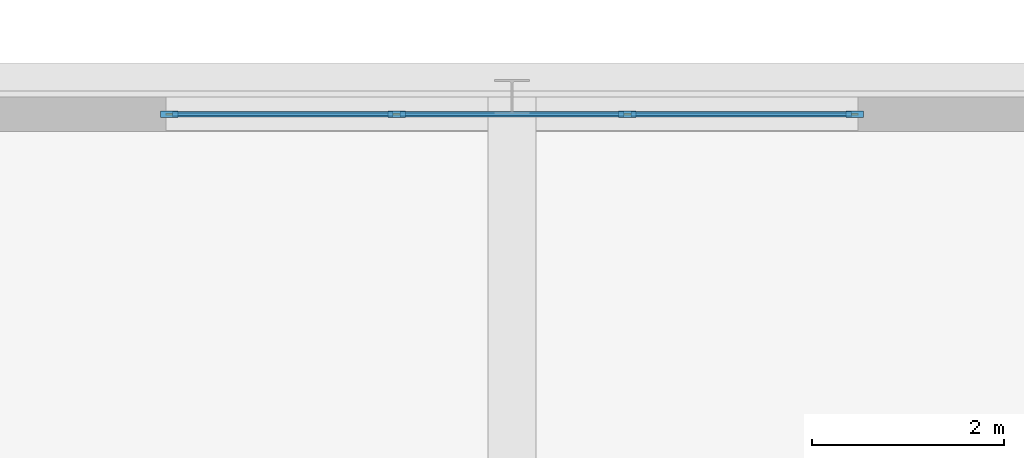
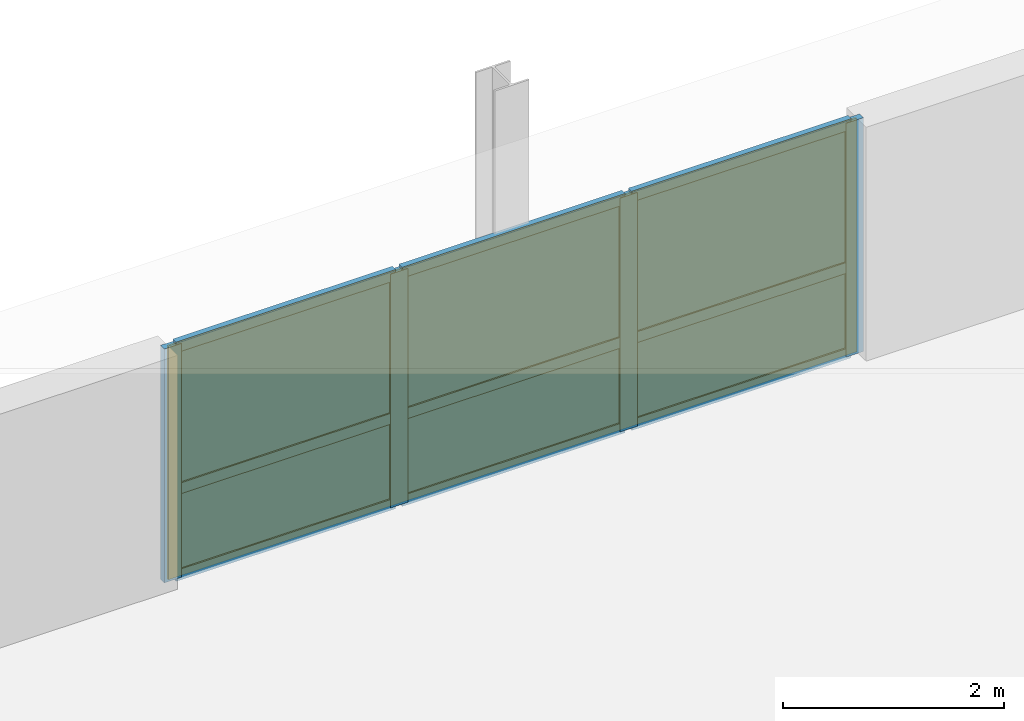
# One storey, part 11 of 17: 13 members, 6 plates, 1 curtain wall.
"""IFC4 building model written with IfcOpenShell, lengths in metres."""

from ifc_helpers import new_model, si_unit, direction, frame, frame_2d, origin, origin_2d, place, context, subcontext, project, spatial, rectangle, extrude, source, transform, mapped, material, layer, layer_set, material_profile, profile_set, type_object, type_shapes, element, aggregate, save


model = new_model("IFC4")

# Units and contexts
model_context = context("Model", 3, precision=1e-05, world=origin(), true_north=direction((0.0, 1.0)))
body_context = subcontext(model_context, "Body", "Model", "MODEL_VIEW")
ifc_project = project(units=[si_unit("LENGTHUNIT", "METRE"), si_unit("AREAUNIT", "SQUARE_METRE"), si_unit("VOLUMEUNIT", "CUBIC_METRE"), si_unit("PLANEANGLEUNIT", "RADIAN"), si_unit("MASSUNIT", "GRAM", prefix="KILO")], contexts=[model_context])

# Member
ifc_material_1 = material(Name="Anodised aluminium 6063-T6", Category="aluminium")
ifc_material_profile_1 = material_profile(ifc_material_1, rectangle(XDim=0.070068359375, YDim=0.179931640625, at=origin_2d()), Name="ALU-MULL-70x180")
ifc_profile_set_1 = profile_set([ifc_material_profile_1], Name="Anodised aluminium 6063-T6")
member_type_1 = type_object("IfcMemberType", Name="CWM-2", PredefinedType="MULLION", material=ifc_profile_set_1)
site_placement = place(None, origin())
building_placement = place(site_placement, origin())
storey_placement = place(building_placement, frame((0.0, 0.0, 18.39990234375)))
member_1_placement = place(storey_placement, frame((-3.56494140625, 25.820068359375, 0.0), z_axis=(0.0, 0.0, 1.0), x_axis=(0.0, 1.0, 0.0)))
member_1 = element("IfcMember", 1, at=member_1_placement, type_object=member_type_1, Name="CWS-2 mullion 1", PredefinedType="MULLION", context=body_context, shape_type="SweptSolid", body=[
    extrude(rectangle(XDim=0.070068359375, YDim=0.179931640625, at=origin_2d()), origin(), (0.0, 0.0, 1.0), 2.585205078125),
])

member_2_placement = place(storey_placement, frame((-1.199951171875, 25.820068359375, 0.0), z_axis=(0.0, 0.0, 1.0), x_axis=(0.0, 1.0, 0.0)))
member_2 = element("IfcMember", 2, at=member_2_placement, type_object=member_type_1, Name="CWS-2 mullion 2", PredefinedType="MULLION", context=body_context, shape_type="SweptSolid", body=[
    extrude(rectangle(XDim=0.070068359375, YDim=0.179931640625, at=origin_2d()), origin(), (0.0, 0.0, 1.0), 2.585205078125),
])

member_3_placement = place(storey_placement, frame((1.199951171875, 25.820068359375, 0.0), z_axis=(0.0, 0.0, 1.0), x_axis=(0.0, 1.0, 0.0)))
member_3 = element("IfcMember", 3, at=member_3_placement, type_object=member_type_1, Name="CWS-2 mullion 3", PredefinedType="MULLION", context=body_context, shape_type="SweptSolid", body=[
    extrude(rectangle(XDim=0.070068359375, YDim=0.179931640625, at=origin_2d()), origin(), (0.0, 0.0, 1.0), 2.585205078125),
])

member_4_placement = place(storey_placement, frame((3.56494140625, 25.820068359375, 0.0), z_axis=(0.0, 0.0, 1.0), x_axis=(0.0, 1.0, 0.0)))
member_4 = element("IfcMember", 4, at=member_4_placement, type_object=member_type_1, Name="CWS-2 mullion 4", PredefinedType="MULLION", context=body_context, shape_type="SweptSolid", body=[
    extrude(rectangle(XDim=0.070068359375, YDim=0.179931640625, at=origin_2d()), origin(), (0.0, 0.0, 1.0), 2.585205078125),
])

ifc_material_profile_2 = material_profile(ifc_material_1, rectangle(XDim=0.06005859375, YDim=0.1201171875, at=origin_2d()), Name="ALU-TRAN-60x120")
ifc_profile_set_2 = profile_set([ifc_material_profile_2], Name="Anodised aluminium 6063-T6")
member_type_2 = type_object("IfcMemberType", Name="CWT-2", PredefinedType="USERDEFINED", material=ifc_profile_set_2)
member_5_placement = place(storey_placement, frame((-3.530029296875, 25.820068359375, 0.030029296875), z_axis=(1.0, 0.0, 0.0), x_axis=(0.0, 1.0, 0.0)))
member_5 = element("IfcMember", 5, at=member_5_placement, type_object=member_type_2, Name="CWS-2 transom 1.1", ObjectType="TRANSOM", PredefinedType="USERDEFINED", context=body_context, shape_type="SweptSolid", body=[
    extrude(rectangle(XDim=0.06005859375, YDim=0.1201171875, at=origin_2d()), origin(), (0.0, 0.0, 1.0), 2.294921875),
])

member_6_placement = place(storey_placement, frame((-3.530029296875, 25.820068359375, 0.982421875), z_axis=(1.0, 0.0, 0.0), x_axis=(0.0, 1.0, 0.0)))
member_6 = element("IfcMember", 6, at=member_6_placement, type_object=member_type_2, Name="CWS-2 transom 1.2", ObjectType="TRANSOM", PredefinedType="USERDEFINED", context=body_context, shape_type="SweptSolid", body=[
    extrude(rectangle(XDim=0.06005859375, YDim=0.1201171875, at=origin_2d()), origin(), (0.0, 0.0, 1.0), 2.294921875),
])

member_7_placement = place(storey_placement, frame((-3.530029296875, 25.820068359375, 2.55517578125), z_axis=(1.0, 0.0, 0.0), x_axis=(0.0, 1.0, 0.0)))
member_7 = element("IfcMember", 7, at=member_7_placement, type_object=member_type_2, Name="CWS-2 transom 1.3", ObjectType="TRANSOM", PredefinedType="USERDEFINED", context=body_context, shape_type="SweptSolid", body=[
    extrude(rectangle(XDim=0.06005859375, YDim=0.1201171875, at=origin_2d()), origin(), (0.0, 0.0, 1.0), 2.294921875),
])

member_8_placement = place(storey_placement, frame((-1.1650390625, 25.820068359375, 0.030029296875), z_axis=(1.0, 0.0, 0.0), x_axis=(0.0, 1.0, 0.0)))
member_8 = element("IfcMember", 8, at=member_8_placement, type_object=member_type_2, Name="CWS-2 transom 2.1", ObjectType="TRANSOM", PredefinedType="USERDEFINED", context=body_context, shape_type="SweptSolid", body=[
    extrude(rectangle(XDim=0.06005859375, YDim=0.1201171875, at=origin_2d()), origin(), (0.0, 0.0, 1.0), 2.330078125),
])

member_9_placement = place(storey_placement, frame((-1.1650390625, 25.820068359375, 0.982421875), z_axis=(1.0, 0.0, 0.0), x_axis=(0.0, 1.0, 0.0)))
member_9 = element("IfcMember", 9, at=member_9_placement, type_object=member_type_2, Name="CWS-2 transom 2.2", ObjectType="TRANSOM", PredefinedType="USERDEFINED", context=body_context, shape_type="SweptSolid", body=[
    extrude(rectangle(XDim=0.06005859375, YDim=0.1201171875, at=origin_2d()), origin(), (0.0, 0.0, 1.0), 2.330078125),
])

member_10_placement = place(storey_placement, frame((-1.1650390625, 25.820068359375, 2.55517578125), z_axis=(1.0, 0.0, 0.0), x_axis=(0.0, 1.0, 0.0)))
member_10 = element("IfcMember", 10, at=member_10_placement, type_object=member_type_2, Name="CWS-2 transom 2.3", ObjectType="TRANSOM", PredefinedType="USERDEFINED", context=body_context, shape_type="SweptSolid", body=[
    extrude(rectangle(XDim=0.06005859375, YDim=0.1201171875, at=origin_2d()), origin(), (0.0, 0.0, 1.0), 2.330078125),
])

member_11_placement = place(storey_placement, frame((1.235107421875, 25.820068359375, 0.030029296875), z_axis=(1.0, 0.0, 0.0), x_axis=(0.0, 1.0, 0.0)))
member_11 = element("IfcMember", 11, at=member_11_placement, type_object=member_type_2, Name="CWS-2 transom 3.1", ObjectType="TRANSOM", PredefinedType="USERDEFINED", context=body_context, shape_type="SweptSolid", body=[
    extrude(rectangle(XDim=0.06005859375, YDim=0.1201171875, at=origin_2d()), origin(), (0.0, 0.0, 1.0), 2.294921875),
])

member_12_placement = place(storey_placement, frame((1.235107421875, 25.820068359375, 0.982421875), z_axis=(1.0, 0.0, 0.0), x_axis=(0.0, 1.0, 0.0)))
member_12 = element("IfcMember", 12, at=member_12_placement, type_object=member_type_2, Name="CWS-2 transom 3.2", ObjectType="TRANSOM", PredefinedType="USERDEFINED", context=body_context, shape_type="SweptSolid", body=[
    extrude(rectangle(XDim=0.06005859375, YDim=0.1201171875, at=origin_2d()), origin(), (0.0, 0.0, 1.0), 2.294921875),
])

member_13_placement = place(storey_placement, frame((1.235107421875, 25.820068359375, 2.55517578125), z_axis=(1.0, 0.0, 0.0), x_axis=(0.0, 1.0, 0.0)))
member_13 = element("IfcMember", 13, at=member_13_placement, type_object=member_type_2, Name="CWS-2 transom 3.3", ObjectType="TRANSOM", PredefinedType="USERDEFINED", context=body_context, shape_type="SweptSolid", body=[
    extrude(rectangle(XDim=0.06005859375, YDim=0.1201171875, at=origin_2d()), origin(), (0.0, 0.0, 1.0), 2.294921875),
])

# Plate
ifc_material_2 = material(Name="Insulated solar-control glass", Category="glass")
ifc_layer_1 = layer(ifc_material_2, 0.030029296875, Name="CWP-2")
ifc_layer_set_1 = layer_set([ifc_layer_1], Name="Insulated solar-control glass")
plate_type = type_object("IfcPlateType", Name="CWP-2", PredefinedType="CURTAIN_PANEL", material=ifc_layer_set_1)
shared_shape_1 = source(origin(), body_context, "Body", "SweptSolid", [
    extrude(rectangle(XDim=2.294921875, YDim=0.030029296875, at=origin_2d()), origin(), (0.0, 0.0, 1.0), 0.892333984375),
])
plate_1_placement = place(storey_placement, frame((-2.382568359375, 25.820068359375, 0.06005859375), z_axis=(0.0, 0.0, 1.0), x_axis=(1.0, 0.0, 0.0)))
plate_1 = element("IfcPlate", 14, at=plate_1_placement, type_object=plate_type, Name="CWS-2 panel 1.1", PredefinedType="CURTAIN_PANEL", context=body_context, shape_type="MappedRepresentation", body=[
    mapped(shared_shape_1, transform((0.0, 0.0, 0.0), scale=1.0)),
])

plate_2_placement = place(storey_placement, frame((2.382568359375, 25.820068359375, 0.06005859375), z_axis=(0.0, 0.0, 1.0), x_axis=(1.0, 0.0, 0.0)))
plate_2 = element("IfcPlate", 15, at=plate_2_placement, type_object=plate_type, Name="CWS-2 panel 3.1", PredefinedType="CURTAIN_PANEL", context=body_context, shape_type="MappedRepresentation", body=[
    mapped(shared_shape_1, transform((0.0, 0.0, 0.0), scale=1.0)),
])

shared_shape_2 = source(origin(), body_context, "Body", "SweptSolid", [
    extrude(rectangle(XDim=2.294921875, YDim=0.030029296875, at=origin_2d()), origin(), (0.0, 0.0, 1.0), 1.5126953125),
])
plate_3_placement = place(storey_placement, frame((-2.382568359375, 25.820068359375, 1.012451171875), z_axis=(0.0, 0.0, 1.0), x_axis=(1.0, 0.0, 0.0)))
plate_3 = element("IfcPlate", 16, at=plate_3_placement, type_object=plate_type, Name="CWS-2 panel 1.2", PredefinedType="CURTAIN_PANEL", context=body_context, shape_type="MappedRepresentation", body=[
    mapped(shared_shape_2, transform((0.0, 0.0, 0.0), scale=1.0)),
])

plate_4_placement = place(storey_placement, frame((2.382568359375, 25.820068359375, 1.012451171875), z_axis=(0.0, 0.0, 1.0), x_axis=(1.0, 0.0, 0.0)))
plate_4 = element("IfcPlate", 17, at=plate_4_placement, type_object=plate_type, Name="CWS-2 panel 3.2", PredefinedType="CURTAIN_PANEL", context=body_context, shape_type="MappedRepresentation", body=[
    mapped(shared_shape_2, transform((0.0, 0.0, 0.0), scale=1.0)),
])

shared_shape_3 = source(origin(), body_context, "Body", "SweptSolid", [
    extrude(rectangle(XDim=2.330078125, YDim=0.030029296875, at=origin_2d()), origin(), (0.0, 0.0, 1.0), 0.892333984375),
])
plate_5_placement = place(storey_placement, frame((0.0, 25.820068359375, 0.06005859375), z_axis=(0.0, 0.0, 1.0), x_axis=(1.0, 0.0, 0.0)))
plate_5 = element("IfcPlate", 18, at=plate_5_placement, type_object=plate_type, Name="CWS-2 panel 2.1", PredefinedType="CURTAIN_PANEL", context=body_context, shape_type="MappedRepresentation", body=[
    mapped(shared_shape_3, transform((0.0, 0.0, 0.0), scale=1.0)),
])

shared_shape_4 = source(origin(), body_context, "Body", "SweptSolid", [
    extrude(rectangle(XDim=2.330078125, YDim=0.030029296875, at=origin_2d()), origin(), (0.0, 0.0, 1.0), 1.5126953125),
])
type_shapes(plate_type, [shared_shape_1, shared_shape_2, shared_shape_3, shared_shape_4])
plate_6_placement = place(storey_placement, frame((0.0, 25.820068359375, 1.012451171875), z_axis=(0.0, 0.0, 1.0), x_axis=(1.0, 0.0, 0.0)))
plate_6 = element("IfcPlate", 19, at=plate_6_placement, type_object=plate_type, Name="CWS-2 panel 2.2", PredefinedType="CURTAIN_PANEL", context=body_context, shape_type="MappedRepresentation", body=[
    mapped(shared_shape_4, transform((0.0, 0.0, 0.0), scale=1.0)),
])

# Site, building, storey
site = spatial("IfcSite", under=ifc_project, at=site_placement, CompositionType="ELEMENT")
building = spatial("IfcBuilding", under=site, at=building_placement, Name="Nuvemarco Arch Tower", CompositionType="ELEMENT")
storey = spatial("IfcBuildingStorey", under=building, at=storey_placement, Name="L04", CompositionType="ELEMENT", Elevation=18.39990234375)

# Curtain wall
ifc_layer_2 = layer(ifc_material_2, 0.179931640625, Name="CW-SYS-2")
ifc_layer_set_2 = layer_set([ifc_layer_2], Name="Insulated solar-control glass")
curtain_wall_type = type_object("IfcCurtainWallType", Name="CW-SYS-2", PredefinedType="NOTDEFINED", material=ifc_layer_set_2)
curtain_wall_placement = place(storey_placement, frame((-3.60009765625, 25.820068359375, 0.0), z_axis=(0.0, 0.0, 1.0), x_axis=(1.0, 0.0, 0.0)))
curtain_wall = element("IfcCurtainWall", 20, at=curtain_wall_placement, inside=storey, type_object=curtain_wall_type, Name="L04 curtain wall CWS-2", PredefinedType="NOTDEFINED", context=body_context, shape_type="SweptSolid", body=[
    extrude(rectangle(XDim=7.2001953125, YDim=0.02001953125, at=frame_2d((3.60009765625, 0.0))), origin(), (0.0, 0.0, 1.0), 2.585205078125),
])

aggregate(curtain_wall, [member_1, member_2, member_3, member_4, member_5, member_6, member_7, plate_1, plate_3, member_8, member_9, member_10, plate_5, plate_6, member_11, member_12, member_13, plate_2, plate_4])

save(model, "model.ifc")
